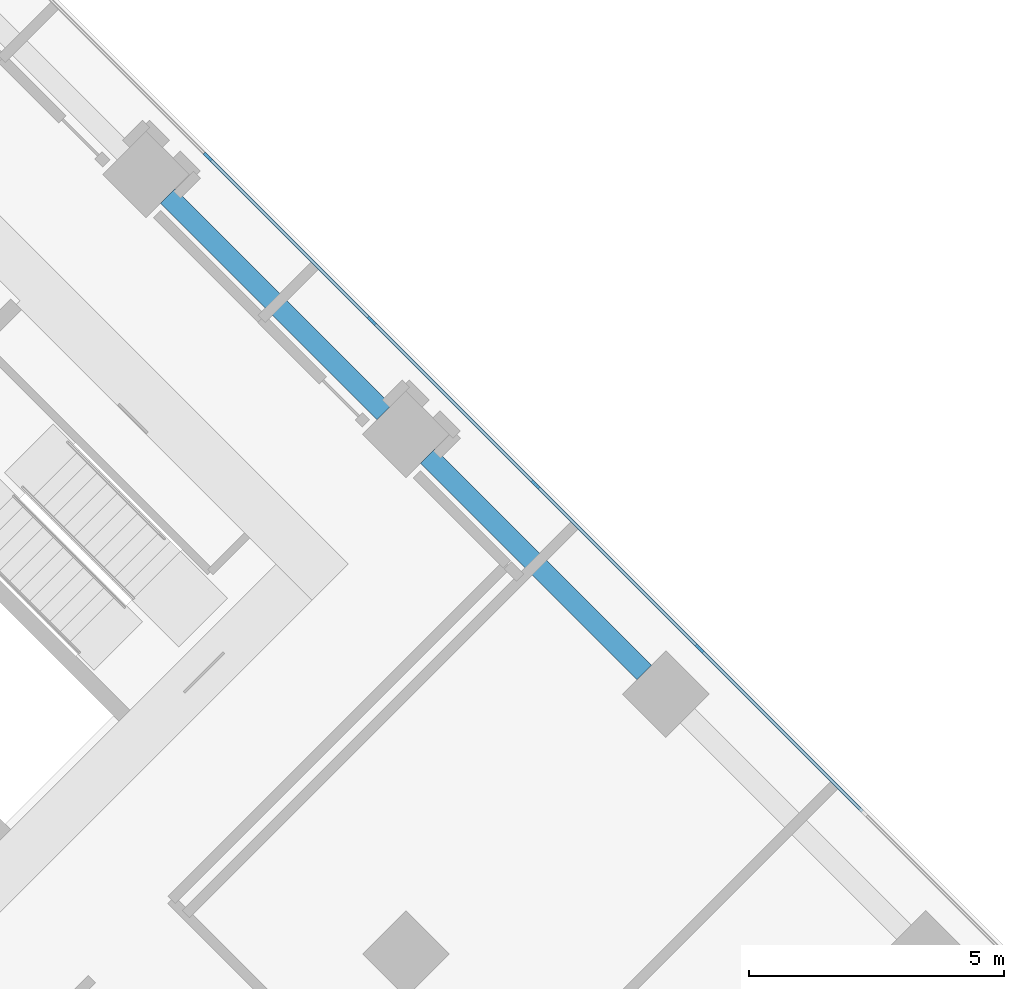
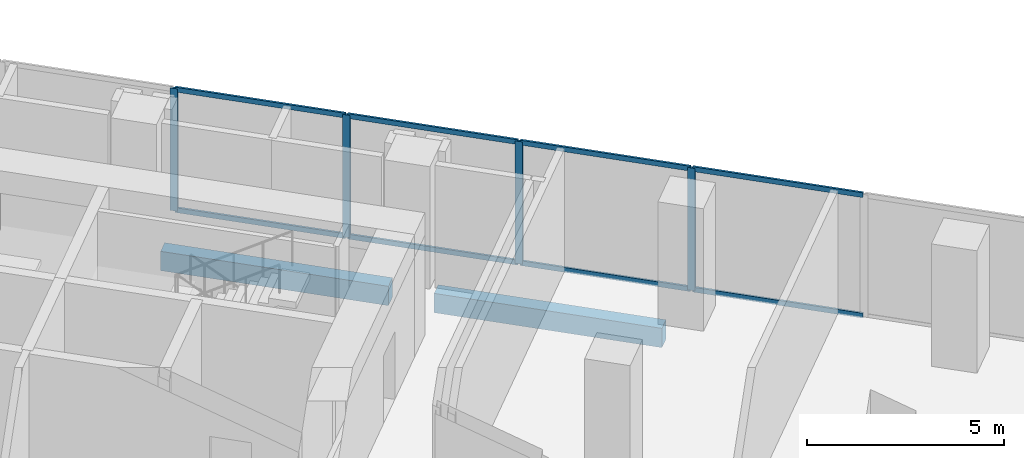
# One storey, part 14 of 27: 12 members, 2 beams, 1 element without a shape of its own.
"""IFC4 building model written with IfcOpenShell, lengths in metres."""

import ifcopenshell
import ifcopenshell.guid

model = None  # the IFC model being written
_history = None  # IfcOwnerHistory: only IFC2X3 demands one
_inside = {}  # id of a spatial element -> (the spatial element, [elements in it])
_under = {}  # id of a project, library or spatial element -> (it, [spatial elements below it])
_declared = {}  # id of a project -> (the project, [libraries it declares])
_typed = {}  # id of a type object -> (the type object, [elements of that type])
_made_of = {}  # id of a material, layer set ... -> (it, [elements and type objects made of it])


def new_model(schema):
    """Start an empty IFC model of exactly this schema.

    Asked for "IFC4X3", IfcOpenShell would pick the latest addendum, in which some entities
    have other attributes; the version numbers below select the first issue.
    IFC2X3 requires an IfcOwnerHistory on every rooted entity: one is made here for all.
    """
    global model, _history
    if schema == "IFC4X3":
        model = ifcopenshell.file(schema_version=(4, 3, 0, 0))
    else:
        model = ifcopenshell.file(schema=schema)
    _inside.clear()
    _under.clear()
    _declared.clear()
    _typed.clear()
    _made_of.clear()
    _history = None
    if model.schema == "IFC2X3":
        org = make("IfcOrganization", Name="unknown")
        user = make(
            "IfcPersonAndOrganization",
            ThePerson=make("IfcPerson", FamilyName="unknown"),
            TheOrganization=org,
        )
        app = make(
            "IfcApplication",
            ApplicationDeveloper=org,
            Version="unknown",
            ApplicationFullName="unknown",
            ApplicationIdentifier="unknown",
        )
        _history = make(
            "IfcOwnerHistory",
            OwningUser=user,
            OwningApplication=app,
            ChangeAction="ADDED",
            CreationDate=0,
        )
    return model


def make(cls, **values):
    """One entity of the class cls with the attributes given. An attribute that is None is left unset."""
    return model.create_entity(
        cls, **{name: value for name, value in values.items() if value is not None}
    )


def rooted(cls, **values):
    """An entity with a GlobalId (a new one), such as an element, a storey or a relation."""
    return make(cls, GlobalId=ifcopenshell.guid.new(), OwnerHistory=_history, **values)


def si_unit(unit_type, name, prefix=None):
    """IfcSIUnit, for example si_unit("LENGTHUNIT", "METRE", prefix="MILLI")."""
    return make("IfcSIUnit", UnitType=unit_type, Prefix=prefix, Name=name)


def assignment(units):
    """IfcUnitAssignment: the units of a project."""
    return None if units is None else make("IfcUnitAssignment", Units=units)


def point(xyz):
    """IfcCartesianPoint."""
    return None if xyz is None else make("IfcCartesianPoint", Coordinates=xyz)


def direction(xyz):
    """IfcDirection."""
    return None if xyz is None else make("IfcDirection", DirectionRatios=xyz)


def frame(location, z_axis=None, x_axis=None):
    """IfcAxis2Placement3D, a coordinate frame: its origin and axes. An axis left out is left unset."""
    return make(
        "IfcAxis2Placement3D",
        Location=point(location),
        Axis=direction(z_axis),
        RefDirection=direction(x_axis),
    )


def frame_2d(location, x_axis=None):
    """IfcAxis2Placement2D, a coordinate frame in the plane: its origin and x axis."""
    return make(
        "IfcAxis2Placement2D", Location=point(location), RefDirection=direction(x_axis)
    )


def origin():
    """The frame at (0, 0, 0) with its axes left unset."""
    return frame((0.0, 0.0, 0.0))


def origin_2d():
    """The frame at (0, 0) in the plane with its x axis left unset."""
    return frame_2d((0.0, 0.0))


def place(relative_to, where):
    """IfcLocalPlacement: puts the frame where relative to a parent placement (None: the world)."""
    return make(
        "IfcLocalPlacement", PlacementRelTo=relative_to, RelativePlacement=where
    )


def context(
    kind, dimensions, precision=None, world=None, true_north=None, identifier=None
):
    """IfcGeometricRepresentationContext, for example the 3D "Model" context."""
    return make(
        "IfcGeometricRepresentationContext",
        ContextIdentifier=identifier,
        ContextType=kind,
        CoordinateSpaceDimension=dimensions,
        Precision=precision,
        WorldCoordinateSystem=world,
        TrueNorth=true_north,
    )


def subcontext(parent, identifier, kind, view, scale=None):
    """IfcGeometricRepresentationSubContext, for example "Body" below "Model"."""
    return make(
        "IfcGeometricRepresentationSubContext",
        ContextIdentifier=identifier,
        ContextType=kind,
        ParentContext=parent,
        TargetScale=scale,
        TargetView=view,
    )


def project(units=None, contexts=None):
    """IfcProject with its units and contexts."""
    return rooted(
        "IfcProject",
        Name="project",
        RepresentationContexts=contexts,
        UnitsInContext=assignment(units),
    )


def spatial(cls, under=None, at=None, **own):
    """A site, building, storey or space (cls), placed at a placement, below another one or the project."""
    s = rooted(cls, ObjectPlacement=at, **own)
    if under is not None:
        _under.setdefault(under.id(), (under, []))[1].append(s)
    return s


def profile(cls, at=None, kind="AREA", **sizes):
    """A parametric profile (cls). Its sizes go by their IFC names, for example OverallWidth=200.0."""
    return make(cls, ProfileType=kind, Position=at, **sizes)


def rectangle(**sizes):
    """IfcRectangleProfileDef."""
    return profile("IfcRectangleProfileDef", **sizes)


def extrude(swept, where, along, depth):
    """IfcExtrudedAreaSolid: the profile swept, set in the frame where, extruded along a direction by depth."""
    return make(
        "IfcExtrudedAreaSolid",
        SweptArea=swept,
        Position=where,
        ExtrudedDirection=direction(along),
        Depth=depth,
    )


def shape(context_of_items, identifier, shape_type, items):
    """IfcShapeRepresentation: the items that make up one representation, for example the "Body"."""
    return make(
        "IfcShapeRepresentation",
        ContextOfItems=context_of_items,
        RepresentationIdentifier=identifier,
        RepresentationType=shape_type,
        Items=items,
    )


def material(Name=None, Category=None):
    """IfcMaterial."""
    return make("IfcMaterial", Name=Name, Category=Category)


def material_profile(
    of_material, cross_section, Name=None, Category=None, Priority=None
):
    """IfcMaterialProfile: a cross section and its material."""
    return make(
        "IfcMaterialProfile",
        Name=Name,
        Material=of_material,
        Profile=cross_section,
        Priority=Priority,
        Category=Category,
    )


def profile_set(profiles, Name=None, composite=None):
    """IfcMaterialProfileSet."""
    return make(
        "IfcMaterialProfileSet",
        Name=Name,
        MaterialProfiles=profiles,
        CompositeProfile=composite,
    )


def made_of(thing, what):
    """Note that an element or type object is made of a material, layer set ...; save() writes the relation."""
    if what is not None:
        _made_of.setdefault(what.id(), (what, []))[1].append(thing)
    return thing


def type_object(cls, material=None, **own):
    """A type object (cls), such as IfcWallType, which elements share."""
    return made_of(rooted(cls, **own), material)


def element(
    cls,
    number,
    at=None,
    inside=None,
    cuts=None,
    type_object=None,
    material=None,
    context=None,
    identifier="Body",
    shape_type=None,
    held_by="IfcProductDefinitionShape",
    body=None,
    shapes=None,
    **own,
):
    """One element of the class cls, such as IfcWall. Its Tag is "e" and its number.

    at: its placement. inside: the storey or other place that contains it. cuts: it is an
    opening in that element (IfcRelVoidsElement). A single representation is given by context,
    identifier, shape_type and body (its items); several are given by shapes. held_by: the class
    of the entity that holds the representations. save() writes the other relations.
    """
    e = rooted(cls, Tag="e%d" % number, ObjectPlacement=at, **own)
    if body is not None:
        shapes = [shape(context, identifier, shape_type, body)]
    if shapes is not None:
        e.Representation = make(held_by, Representations=shapes)
    if inside is not None:
        _inside.setdefault(inside.id(), (inside, []))[1].append(e)
    if cuts is not None:
        rooted(
            "IfcRelVoidsElement", RelatingBuildingElement=cuts, RelatedOpeningElement=e
        )
    if type_object is not None:
        _typed.setdefault(type_object.id(), (type_object, []))[1].append(e)
    return made_of(e, material)


def aggregate(whole, parts):
    """IfcRelAggregates: a whole, such as a stair, and the parts it consists of."""
    return rooted("IfcRelAggregates", RelatingObject=whole, RelatedObjects=parts)


def save(model, path):
    """Write the relations noted so far, then the file.

    IfcRelAggregates (storeys below a building ...), IfcRelContainedInSpatialStructure (elements
    in a storey), IfcRelDefinesByType, IfcRelAssociatesMaterial and IfcRelDeclares: one each for
    every whole, place, type object, material and project.
    """
    for whole, parts in _under.values():
        aggregate(whole, parts)
    for where, things in _inside.values():
        rooted(
            "IfcRelContainedInSpatialStructure",
            RelatedElements=things,
            RelatingStructure=where,
        )
    for kind, things in _typed.values():
        rooted("IfcRelDefinesByType", RelatedObjects=things, RelatingType=kind)
    for what, things in _made_of.values():
        rooted("IfcRelAssociatesMaterial", RelatedObjects=things, RelatingMaterial=what)
    for by, libraries in _declared.values():
        rooted("IfcRelDeclares", RelatingContext=by, RelatedDefinitions=libraries)
    model.write(path)


model = new_model("IFC4")

# Units and contexts
model_context = context("Model", 3, precision=1e-05, world=origin(), true_north=direction((0.0, 1.0)))
body_context = subcontext(model_context, "Body", "Model", "MODEL_VIEW")
ifc_project = project(units=[si_unit("LENGTHUNIT", "METRE"), si_unit("AREAUNIT", "SQUARE_METRE"), si_unit("VOLUMEUNIT", "CUBIC_METRE"), si_unit("PLANEANGLEUNIT", "RADIAN"), si_unit("MASSUNIT", "GRAM", prefix="KILO")], contexts=[model_context])

# Site, building, storey
site_placement = place(None, origin())
site = spatial("IfcSite", under=ifc_project, at=site_placement, CompositionType="ELEMENT")
building_placement = place(site_placement, origin())
building = spatial("IfcBuilding", under=site, at=building_placement, Name="Windrow Commons", CompositionType="ELEMENT")
storey_placement = place(building_placement, frame((0.0, 0.0, 6.0)))
storey = spatial("IfcBuildingStorey", under=building, at=storey_placement, Name="L01", CompositionType="ELEMENT", Elevation=6.0)

# Curtain wall, members
ifc_material_1 = material(Name="Clear laminated glass in Aluminium 6063-T6 anodised frame", Category="aluminium")
curtain_wall_type = type_object("IfcCurtainWallType", Name="Curtain wall CW1 podium study hall", PredefinedType="USERDEFINED", material=ifc_material_1)
curtain_wall_placement = place(storey_placement, origin())
curtain_wall = element("IfcCurtainWall", 1, at=curtain_wall_placement, inside=storey, type_object=curtain_wall_type, Name="Curtain wall CW1 L01 4", ObjectType="STICK", PredefinedType="USERDEFINED")
ifc_material_2 = material(Name="Aluminium 6063-T6", Category="aluminium")
ifc_material_profile_1 = material_profile(ifc_material_2, rectangle(XDim=0.06, YDim=0.2, at=origin_2d()))
ifc_profile_set_1 = profile_set([ifc_material_profile_1], Name="Aluminium 6063-T6")
member_type_1 = type_object("IfcMemberType", Name="CW1 mullion 60x200", PredefinedType="MULLION", material=ifc_profile_set_1)
member_1_placement = place(storey_placement, frame((105.3165, 47.4392, 0.0), z_axis=(0.0, 0.0, 1.0), x_axis=(-0.7071067812, -0.7071067812, 0.0)))
member_1 = element("IfcMember", 2, at=member_1_placement, type_object=member_type_1, Name="CW1 mullion 5", PredefinedType="MULLION", context=body_context, shape_type="SweptSolid", body=[
    extrude(rectangle(XDim=0.06, YDim=0.2, at=origin_2d()), origin(), (0.0, 0.0, 1.0), 3.8),
])
member_2_placement = place(storey_placement, frame((102.1053, 50.6504, 0.0), z_axis=(0.0, 0.0, 1.0), x_axis=(-0.7071067812, -0.7071067812, 0.0)))
member_2 = element("IfcMember", 3, at=member_2_placement, type_object=member_type_1, Name="CW1 mullion 6", PredefinedType="MULLION", context=body_context, shape_type="SweptSolid", body=[
    extrude(rectangle(XDim=0.06, YDim=0.2, at=origin_2d()), origin(), (0.0, 0.0, 1.0), 3.8),
])
member_3_placement = place(storey_placement, frame((98.894, 53.8617, 0.0), z_axis=(0.0, 0.0, 1.0), x_axis=(-0.7071067812, -0.7071067812, 0.0)))
member_3 = element("IfcMember", 4, at=member_3_placement, type_object=member_type_1, Name="CW1 mullion 7", PredefinedType="MULLION", context=body_context, shape_type="SweptSolid", body=[
    extrude(rectangle(XDim=0.06, YDim=0.2, at=origin_2d()), origin(), (0.0, 0.0, 1.0), 3.8),
])
member_4_placement = place(storey_placement, frame((95.6827, 57.073, 0.0), z_axis=(0.0, 0.0, 1.0), x_axis=(-0.7071067812, -0.7071067812, 0.0)))
member_4 = element("IfcMember", 5, at=member_4_placement, type_object=member_type_1, Name="CW1 mullion 8", PredefinedType="MULLION", context=body_context, shape_type="SweptSolid", body=[
    extrude(rectangle(XDim=0.06, YDim=0.2, at=origin_2d()), origin(), (0.0, 0.0, 1.0), 3.8),
])
ifc_material_3 = material(Name="Aluminium 6063-T6", Category="aluminium")
ifc_material_profile_2 = material_profile(ifc_material_3, rectangle(XDim=0.06, YDim=0.15, at=origin_2d()))
ifc_profile_set_2 = profile_set([ifc_material_profile_2], Name="Aluminium 6063-T6")
member_type_2 = type_object("IfcMemberType", Name="CW1 transom 60x150", PredefinedType="USERDEFINED", material=ifc_profile_set_2)
member_5_placement = place(storey_placement, frame((108.5066, 44.2491, 0.03), z_axis=(-0.7071179382, 0.7070956239, 0.0), x_axis=(-0.7070956239, -0.7071179382, 0.0)))
member_5 = element("IfcMember", 6, at=member_5_placement, type_object=member_type_2, Name="CW1 transom 4.1", ObjectType="TRANSOM", PredefinedType="USERDEFINED", context=body_context, shape_type="SweptSolid", body=[
    extrude(rectangle(XDim=0.06, YDim=0.15, at=origin_2d()), origin(), (0.0, 0.0, 1.0), 4.4814),
])
member_6_placement = place(storey_placement, frame((108.5066, 44.2491, 3.77), z_axis=(-0.7071179382, 0.7070956239, 0.0), x_axis=(-0.7070956239, -0.7071179382, 0.0)))
member_6 = element("IfcMember", 7, at=member_6_placement, type_object=member_type_2, Name="CW1 transom 4.2", ObjectType="TRANSOM", PredefinedType="USERDEFINED", context=body_context, shape_type="SweptSolid", body=[
    extrude(rectangle(XDim=0.06, YDim=0.15, at=origin_2d()), origin(), (0.0, 0.0, 1.0), 4.4814),
])
member_7_placement = place(storey_placement, frame((105.2953, 47.4604, 0.03), z_axis=(-0.7071067812, 0.7071067812, 0.0), x_axis=(-0.7071067812, -0.7071067812, 0.0)))
member_7 = element("IfcMember", 8, at=member_7_placement, type_object=member_type_2, Name="CW1 transom 5.1", ObjectType="TRANSOM", PredefinedType="USERDEFINED", context=body_context, shape_type="SweptSolid", body=[
    extrude(rectangle(XDim=0.06, YDim=0.15, at=origin_2d()), origin(), (0.0, 0.0, 1.0), 4.4814),
])
member_8_placement = place(storey_placement, frame((105.2953, 47.4604, 3.77), z_axis=(-0.7071067812, 0.7071067812, 0.0), x_axis=(-0.7071067812, -0.7071067812, 0.0)))
member_8 = element("IfcMember", 9, at=member_8_placement, type_object=member_type_2, Name="CW1 transom 5.2", ObjectType="TRANSOM", PredefinedType="USERDEFINED", context=body_context, shape_type="SweptSolid", body=[
    extrude(rectangle(XDim=0.06, YDim=0.15, at=origin_2d()), origin(), (0.0, 0.0, 1.0), 4.4814),
])
member_9_placement = place(storey_placement, frame((102.084, 50.6716, 0.03), z_axis=(-0.7070956239, 0.7071179382, 0.0), x_axis=(-0.7071179382, -0.7070956239, 0.0)))
member_9 = element("IfcMember", 10, at=member_9_placement, type_object=member_type_2, Name="CW1 transom 6.1", ObjectType="TRANSOM", PredefinedType="USERDEFINED", context=body_context, shape_type="SweptSolid", body=[
    extrude(rectangle(XDim=0.06, YDim=0.15, at=origin_2d()), origin(), (0.0, 0.0, 1.0), 4.4814),
])
member_10_placement = place(storey_placement, frame((102.084, 50.6716, 3.77), z_axis=(-0.7070956239, 0.7071179382, 0.0), x_axis=(-0.7071179382, -0.7070956239, 0.0)))
member_10 = element("IfcMember", 11, at=member_10_placement, type_object=member_type_2, Name="CW1 transom 6.2", ObjectType="TRANSOM", PredefinedType="USERDEFINED", context=body_context, shape_type="SweptSolid", body=[
    extrude(rectangle(XDim=0.06, YDim=0.15, at=origin_2d()), origin(), (0.0, 0.0, 1.0), 4.4814),
])
member_11_placement = place(storey_placement, frame((98.8728, 53.8829, 0.03), z_axis=(-0.7071179382, 0.7070956239, 0.0), x_axis=(-0.7070956239, -0.7071179382, 0.0)))
member_11 = element("IfcMember", 12, at=member_11_placement, type_object=member_type_2, Name="CW1 transom 7.1", ObjectType="TRANSOM", PredefinedType="USERDEFINED", context=body_context, shape_type="SweptSolid", body=[
    extrude(rectangle(XDim=0.06, YDim=0.15, at=origin_2d()), origin(), (0.0, 0.0, 1.0), 4.4814),
])
member_12_placement = place(storey_placement, frame((98.8728, 53.8829, 3.77), z_axis=(-0.7071179382, 0.7070956239, 0.0), x_axis=(-0.7070956239, -0.7071179382, 0.0)))
member_12 = element("IfcMember", 13, at=member_12_placement, type_object=member_type_2, Name="CW1 transom 7.2", ObjectType="TRANSOM", PredefinedType="USERDEFINED", context=body_context, shape_type="SweptSolid", body=[
    extrude(rectangle(XDim=0.06, YDim=0.15, at=origin_2d()), origin(), (0.0, 0.0, 1.0), 4.4814),
])
aggregate(curtain_wall, [member_1, member_2, member_3, member_4, member_5, member_6, member_7, member_8, member_9, member_10, member_11, member_12])

# Beams
ifc_material_4 = material(Name="Concrete C60/75", Category="concrete")
ifc_material_profile_3 = material_profile(ifc_material_4, rectangle(XDim=0.4, YDim=0.6, at=origin_2d()))
ifc_profile_set_3 = profile_set([ifc_material_profile_3], Name="Concrete C60/75")
beam_type = type_object("IfcBeamType", Name="RC EDGE BEAM 400x600 C60/75", PredefinedType="SPANDREL", material=ifc_profile_set_3)
beam_1_placement = place(storey_placement, frame((94.8978, 56.3022, -0.7), z_axis=(0.7071067812, -0.7071067812, 0.0), x_axis=(0.7071067812, 0.7071067812, 0.0)))
element("IfcBeam", 14, at=beam_1_placement, inside=storey, type_object=beam_type, Name="Edge beam L01 020", PredefinedType="SPANDREL", context=body_context, shape_type="SweptSolid", body=[
    extrude(rectangle(XDim=0.4, YDim=0.6, at=origin_2d()), origin(), (0.0, 0.0, 1.0), 5.9999),
])
beam_2_placement = place(storey_placement, frame((99.989, 51.211, -0.7), z_axis=(0.7071067812, -0.7071067812, 0.0), x_axis=(0.7071067812, 0.7071067812, 0.0)))
element("IfcBeam", 15, at=beam_2_placement, inside=storey, type_object=beam_type, Name="Edge beam L01 021", PredefinedType="SPANDREL", context=body_context, shape_type="SweptSolid", body=[
    extrude(rectangle(XDim=0.4, YDim=0.6, at=origin_2d()), origin(), (0.0, 0.0, 1.0), 5.9998),
])

save(model, "model.ifc")
